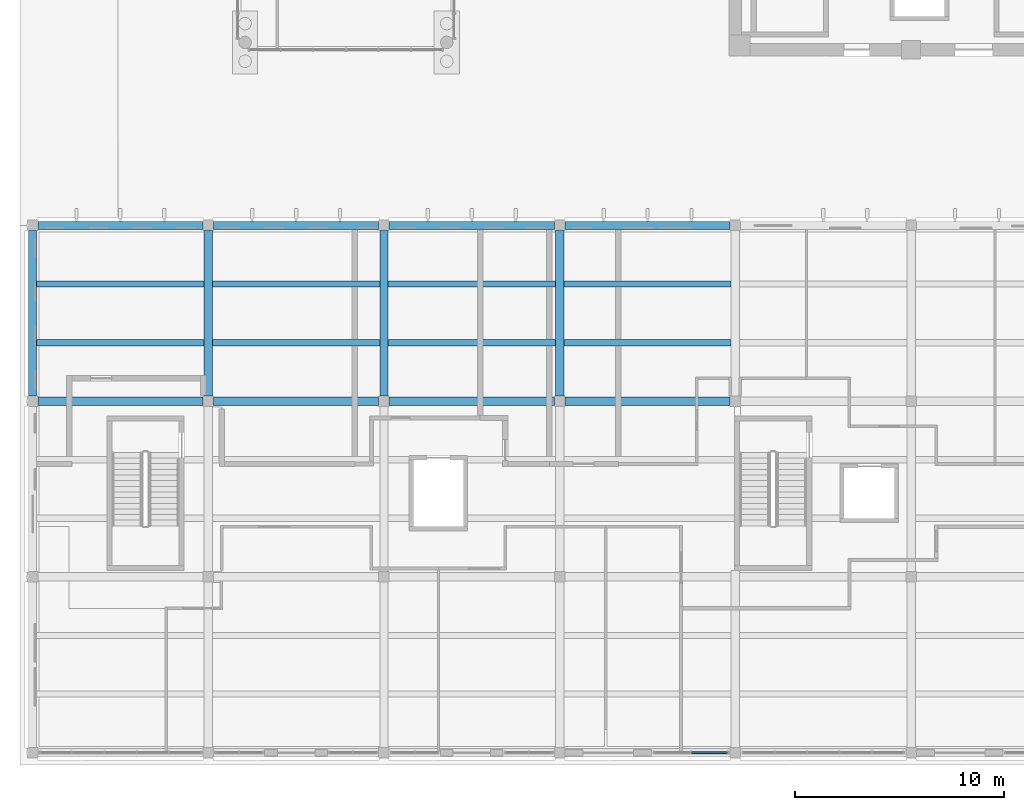
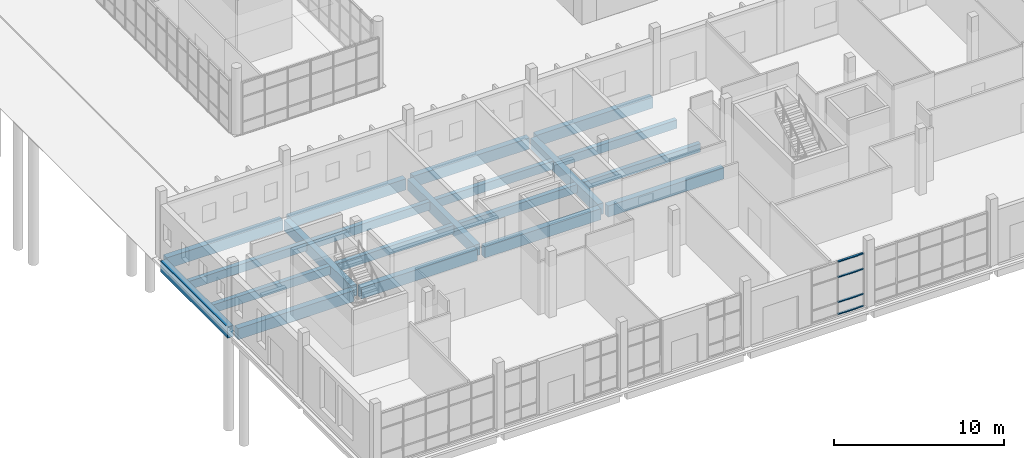
# One storey, part 8 of 110: 20 beams, 4 members, 1 element without a shape of its own.
"""IFC4 building model written with IfcOpenShell, lengths in metres."""

from ifc_helpers import new_model, si_unit, direction, frame, origin, origin_2d, place, context, subcontext, project, spatial, rectangle, extrude, material, layer, layer_set, material_profile, profile_set, type_object, element, aggregate, save


model = new_model("IFC4")

# Units and contexts
model_context = context("Model", 3, precision=1e-05, world=origin(), true_north=direction((0.0, 1.0)))
body_context = subcontext(model_context, "Body", "Model", "MODEL_VIEW")
ifc_project = project(units=[si_unit("LENGTHUNIT", "METRE"), si_unit("AREAUNIT", "SQUARE_METRE"), si_unit("VOLUMEUNIT", "CUBIC_METRE"), si_unit("PLANEANGLEUNIT", "RADIAN"), si_unit("MASSUNIT", "GRAM", prefix="KILO")], contexts=[model_context])

# Site, building, storey
site_placement = place(None, origin())
site = spatial("IfcSite", under=ifc_project, at=site_placement, CompositionType="ELEMENT")
building_placement = place(site_placement, origin())
building = spatial("IfcBuilding", under=site, at=building_placement, Name="Larchfold Concert Hall", CompositionType="ELEMENT")
storey_placement = place(building_placement, origin())
storey = spatial("IfcBuildingStorey", under=building, at=storey_placement, Name="L00", CompositionType="ELEMENT", Elevation=0.0)

# Curtain wall, members
ifc_material_1 = material(Name="Anodised graphite aluminium curtain wall", Category="aluminium")
ifc_layer = layer(ifc_material_1, 0.1201171875)
ifc_layer_set = layer_set([ifc_layer], Name="Anodised graphite aluminium curtain wall")
curtain_wall_type = type_object("IfcCurtainWallType", Name="Curtain wall SF", PredefinedType="NOTDEFINED", material=ifc_layer_set)
curtain_wall_placement = place(storey_placement, origin())
curtain_wall = element("IfcCurtainWall", 1, at=curtain_wall_placement, inside=storey, type_object=curtain_wall_type, Name="Curtain wall CW0299", PredefinedType="NOTDEFINED")
ifc_material_2 = material(Name="Anodised graphite aluminium transom", Category="aluminium")
ifc_material_profile_1 = material_profile(ifc_material_2, rectangle(XDim=0.090087890625, YDim=0.070068359375, at=origin_2d()))
ifc_profile_set_1 = profile_set([ifc_material_profile_1], Name="Anodised graphite aluminium transom")
member_type = type_object("IfcMemberType", Name="Aluminium transom 70x90", PredefinedType="USERDEFINED", material=ifc_profile_set_1)
member_1_placement = place(storey_placement, frame((32.10498046875, 0.60009765625, 0.034912109375), z_axis=(1.0, 0.0, 0.0), x_axis=(0.0, 1.0, 0.0)))
member_1 = element("IfcMember", 2, at=member_1_placement, type_object=member_type, Name="CW0299 transom 2.1", ObjectType="TRANSOM", PredefinedType="USERDEFINED", context=body_context, shape_type="SweptSolid", body=[
    extrude(rectangle(XDim=0.090087890625, YDim=0.070068359375, at=origin_2d()), origin(), (0.0, 0.0, 1.0), 1.71484375),
])
member_2_placement = place(storey_placement, frame((32.10498046875, 0.60009765625, 0.89990234375), z_axis=(1.0, 0.0, 0.0), x_axis=(0.0, 1.0, 0.0)))
member_2 = element("IfcMember", 3, at=member_2_placement, type_object=member_type, Name="CW0299 transom 2.2", ObjectType="TRANSOM", PredefinedType="USERDEFINED", context=body_context, shape_type="SweptSolid", body=[
    extrude(rectangle(XDim=0.090087890625, YDim=0.070068359375, at=origin_2d()), origin(), (0.0, 0.0, 1.0), 1.71484375),
])
member_3_placement = place(storey_placement, frame((32.10498046875, 0.60009765625, 2.699951171875), z_axis=(1.0, 0.0, 0.0), x_axis=(0.0, 1.0, 0.0)))
member_3 = element("IfcMember", 4, at=member_3_placement, type_object=member_type, Name="CW0299 transom 2.3", ObjectType="TRANSOM", PredefinedType="USERDEFINED", context=body_context, shape_type="SweptSolid", body=[
    extrude(rectangle(XDim=0.090087890625, YDim=0.070068359375, at=origin_2d()), origin(), (0.0, 0.0, 1.0), 1.71484375),
])
member_4_placement = place(storey_placement, frame((32.10498046875, 0.60009765625, 3.80517578125), z_axis=(1.0, 0.0, 0.0), x_axis=(0.0, 1.0, 0.0)))
member_4 = element("IfcMember", 5, at=member_4_placement, type_object=member_type, Name="CW0299 transom 2.4", ObjectType="TRANSOM", PredefinedType="USERDEFINED", context=body_context, shape_type="SweptSolid", body=[
    extrude(rectangle(XDim=0.090087890625, YDim=0.070068359375, at=origin_2d()), origin(), (0.0, 0.0, 1.0), 1.71484375),
])
aggregate(curtain_wall, [member_1, member_2, member_3, member_4])

# Beams
ifc_material_3 = material(Name="Concrete C35/45", Category="concrete")
ifc_material_profile_2 = material_profile(ifc_material_3, rectangle(XDim=0.300048828125, YDim=0.60009765625, at=origin_2d()))
ifc_profile_set_2 = profile_set([ifc_material_profile_2], Name="Concrete C35/45")
beam_type_1 = type_object("IfcBeamType", Name="Beam RC 300x600", PredefinedType="BEAM", material=ifc_profile_set_2)
for number, where, z_axis, x_axis, name in (
    (6, (0.800048828125, 20.199951171875, -0.4599609375), (1.0, 0.0, 0.0), (0.0, 1.0, 0.0), "Beam B0083"),
    (7, (9.199951171875, 20.199951171875, -0.4599609375), (1.0, 0.0, 0.0), (0.0, 1.0, 0.0), "Beam B0084"),
    (8, (17.60009765625, 20.199951171875, -0.4599609375), (1.0, 0.0, 0.0), (0.0, 1.0, 0.0), "Beam B0085"),
    (9, (26.0, 20.199951171875, -0.4599609375), (1.0, 0.0, 0.0), (0.0, 1.0, 0.0), "Beam B0086"),
    (10, (0.800048828125, 23.0, -0.4599609375), (1.0, 0.0, 0.0), (0.0, 1.0, 0.0), "Beam B0090"),
    (11, (9.199951171875, 23.0, -0.4599609375), (1.0, 0.0, 0.0), (0.0, 1.0, 0.0), "Beam B0091"),
    (12, (17.60009765625, 23.0, -0.4599609375), (1.0, 0.0, 0.0), (0.0, 1.0, 0.0), "Beam B0092"),
    (13, (26.0, 23.0, -0.4599609375), (1.0, 0.0, 0.0), (0.0, 1.0, 0.0), "Beam B0093"),
):
    element("IfcBeam", number, at=place(storey_placement, frame(where, z_axis=z_axis, x_axis=x_axis)), inside=storey, type_object=beam_type_1, Name=name, PredefinedType="BEAM", context=body_context, shape_type="SweptSolid", body=[
        extrude(rectangle(XDim=0.300048828125, YDim=0.60009765625, at=origin_2d()), origin(), (0.0, 0.0, 1.0), 8.0),
    ])
ifc_material_4 = material(Name="Concrete C35/45", Category="concrete")
ifc_material_profile_3 = material_profile(ifc_material_4, rectangle(XDim=0.39990234375, YDim=0.800048828125, at=origin_2d()))
ifc_profile_set_3 = profile_set([ifc_material_profile_3], Name="Concrete C35/45")
beam_type_2 = type_object("IfcBeamType", Name="Beam RC 400x800", PredefinedType="BEAM", material=ifc_profile_set_3)
for number, where, z_axis, x_axis, name in (
    (14, (0.60009765625, 17.64990234375, -0.56005859375), (0.0, 1.0, 0.0), (-1.0, 0.0, 0.0), "Beam B0003"),
    (15, (9.0, 17.64990234375, -0.56005859375), (0.0, 1.0, 0.0), (-1.0, 0.0, 0.0), "Beam B0006"),
    (16, (17.39990234375, 17.64990234375, -0.56005859375), (0.0, 1.0, 0.0), (-1.0, 0.0, 0.0), "Beam B0009"),
    (17, (25.800048828125, 17.64990234375, -0.56005859375), (0.0, 1.0, 0.0), (-1.0, 0.0, 0.0), "Beam B0012"),
):
    element("IfcBeam", number, at=place(storey_placement, frame(where, z_axis=z_axis, x_axis=x_axis)), inside=storey, type_object=beam_type_2, Name=name, PredefinedType="BEAM", context=body_context, shape_type="SweptSolid", body=[
        extrude(rectangle(XDim=0.39990234375, YDim=0.800048828125, at=origin_2d()), origin(), (0.0, 0.0, 1.0), 7.900146484375),
    ])
for number, where, z_axis, x_axis, name in (
    (18, (0.85009765625, 17.39990234375, -0.56005859375), (1.0, 0.0, 0.0), (0.0, 1.0, 0.0), "Beam B0037"),
    (19, (9.25, 17.39990234375, -0.56005859375), (1.0, 0.0, 0.0), (0.0, 1.0, 0.0), "Beam B0038"),
):
    element("IfcBeam", number, at=place(storey_placement, frame(where, z_axis=z_axis, x_axis=x_axis)), inside=storey, type_object=beam_type_2, Name=name, PredefinedType="BEAM", context=body_context, shape_type="SweptSolid", body=[
        extrude(rectangle(XDim=0.39990234375, YDim=0.800048828125, at=origin_2d()), origin(), (0.0, 0.0, 1.0), 7.89990234375),
    ])
beam_1_placement = place(storey_placement, frame((17.64990234375, 17.39990234375, -0.56005859375), z_axis=(1.0, 0.0, 0.0), x_axis=(0.0, 1.0, 0.0)))
element("IfcBeam", 20, at=beam_1_placement, inside=storey, type_object=beam_type_2, Name="Beam B0039", PredefinedType="BEAM", context=body_context, shape_type="SweptSolid", body=[
    extrude(rectangle(XDim=0.39990234375, YDim=0.800048828125, at=origin_2d()), origin(), (0.0, 0.0, 1.0), 7.900146484375),
])
for number, where, z_axis, x_axis, name in (
    (21, (26.050048828125, 17.39990234375, -0.56005859375), (1.0, 0.0, 0.0), (0.0, 1.0, 0.0), "Beam B0040"),
    (22, (0.85009765625, 25.800048828125, -0.56005859375), (1.0, 0.0, 0.0), (0.0, 1.0, 0.0), "Beam B0044"),
    (23, (9.25, 25.800048828125, -0.56005859375), (1.0, 0.0, 0.0), (0.0, 1.0, 0.0), "Beam B0045"),
):
    element("IfcBeam", number, at=place(storey_placement, frame(where, z_axis=z_axis, x_axis=x_axis)), inside=storey, type_object=beam_type_2, Name=name, PredefinedType="BEAM", context=body_context, shape_type="SweptSolid", body=[
        extrude(rectangle(XDim=0.39990234375, YDim=0.800048828125, at=origin_2d()), origin(), (0.0, 0.0, 1.0), 7.89990234375),
    ])
beam_2_placement = place(storey_placement, frame((17.64990234375, 25.800048828125, -0.56005859375), z_axis=(1.0, 0.0, 0.0), x_axis=(0.0, 1.0, 0.0)))
element("IfcBeam", 24, at=beam_2_placement, inside=storey, type_object=beam_type_2, Name="Beam B0046", PredefinedType="BEAM", context=body_context, shape_type="SweptSolid", body=[
    extrude(rectangle(XDim=0.39990234375, YDim=0.800048828125, at=origin_2d()), origin(), (0.0, 0.0, 1.0), 7.900146484375),
])
beam_3_placement = place(storey_placement, frame((26.050048828125, 25.800048828125, -0.56005859375), z_axis=(1.0, 0.0, 0.0), x_axis=(0.0, 1.0, 0.0)))
element("IfcBeam", 25, at=beam_3_placement, inside=storey, type_object=beam_type_2, Name="Beam B0047", PredefinedType="BEAM", context=body_context, shape_type="SweptSolid", body=[
    extrude(rectangle(XDim=0.39990234375, YDim=0.800048828125, at=origin_2d()), origin(), (0.0, 0.0, 1.0), 7.89990234375),
])

save(model, "model.ifc")
